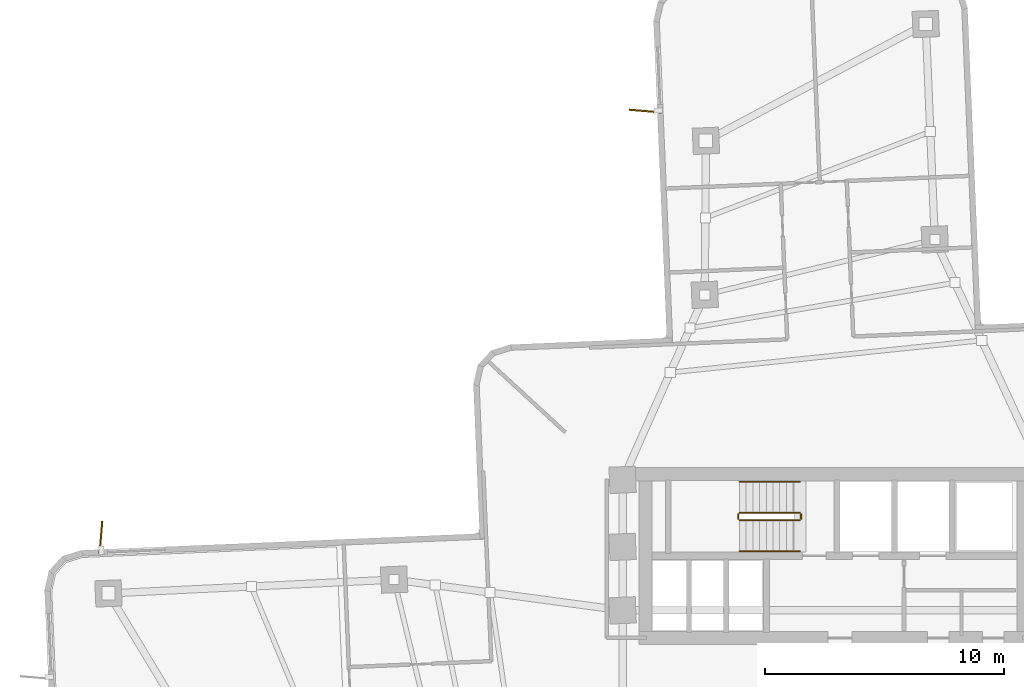
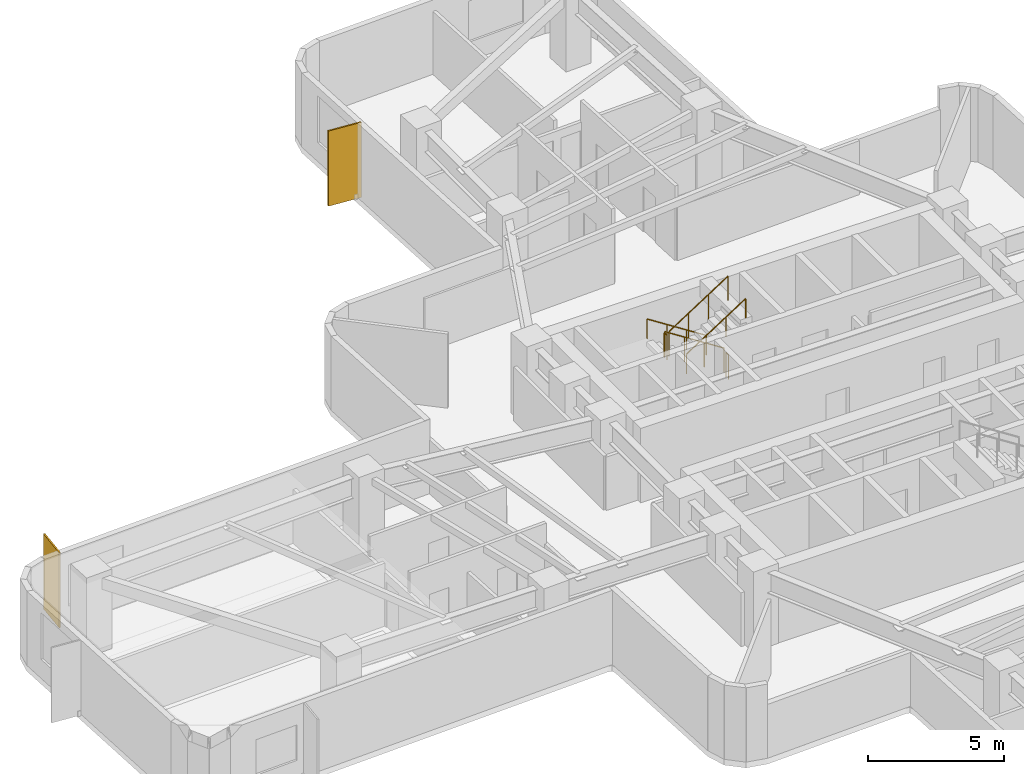
# One storey, part 9 of 10: 6 railings, 2 shading devices.
"""IFC4 building model written with IfcOpenShell, lengths in metres."""

from ifc_helpers import new_model, si_unit, direction, frame, origin, origin_2d, place, context, subcontext, project, spatial, rectangle, circle, extrude, material, layer, layer_set, type_object, element, save


model = new_model("IFC4")

# Units and contexts
model_context = context("Model", 3, precision=1e-05, world=origin(), true_north=direction((0.0, 1.0)))
body_context = subcontext(model_context, "Body", "Model", "MODEL_VIEW")
ifc_project = project(units=[si_unit("LENGTHUNIT", "METRE"), si_unit("AREAUNIT", "SQUARE_METRE"), si_unit("VOLUMEUNIT", "CUBIC_METRE"), si_unit("PLANEANGLEUNIT", "RADIAN"), si_unit("MASSUNIT", "GRAM", prefix="KILO")], contexts=[model_context])

# Site, building, storey
site_placement = place(None, origin())
site = spatial("IfcSite", under=ifc_project, at=site_placement, CompositionType="ELEMENT")
building_placement = place(site_placement, origin())
building = spatial("IfcBuilding", under=site, at=building_placement, Name="Solmarez Civic Tower", CompositionType="ELEMENT")
storey_placement = place(building_placement, frame((0.0, 0.0, 42.47998046875)))
storey = spatial("IfcBuildingStorey", under=building, at=storey_placement, Name="L10", CompositionType="ELEMENT", Elevation=42.47998046875)

# Shading devices
ifc_material_1 = material(Name="Bronze Anodised Aluminium EN AW-6063 T6", Category="aluminium")
ifc_layer = layer(ifc_material_1, 0.06494140625)
ifc_layer_set = layer_set([ifc_layer], Name="Bronze Anodised Aluminium EN AW-6063 T6")
shading_device_type = type_object("IfcShadingDeviceType", Name="FIN-BRONZE-Z12", PredefinedType="USERDEFINED", material=ifc_layer_set)
for number, where, z_axis, x_axis, name in (
    (1, (-30.635009765625, 5.947021484375, -0.0400390625), (0.0, 0.0, 1.0), (0.084077854451, 0.996459188523, 0.0), "L10 Anodised Bronze Solar Fin FIN-L10-03"),
    (2, (-7.906982421875, 23.7490234375, -0.0400390625), (0.0, 0.0, 1.0), (-0.996456253045, 0.084112637387, 0.0), "L10 Anodised Bronze Solar Fin FIN-L10-04"),
):
    element("IfcShadingDevice", number, at=place(storey_placement, frame(where, z_axis=z_axis, x_axis=x_axis)), inside=storey, type_object=shading_device_type, Name=name, ObjectType="FIN", PredefinedType="USERDEFINED", context=body_context, shape_type="SweptSolid", body=[
        extrude(rectangle(XDim=1.35009765625, YDim=0.06494140625, at=origin_2d()), origin(), (0.0, 0.0, 1.0), 3.3798828125),
    ])

# Railings
ifc_material_2 = material(Name="Painted Steel Stairwell Safety Guard", Category="steel")
railing_type_1 = type_object("IfcRailingType", Name="GUARD-STAIR-1120", PredefinedType="BALUSTRADE", material=ifc_material_2)
railing_1_placement = place(storey_placement, frame((-1.449951171875, 6.969970703125, 0.179931640625)))
element("IfcRailing", 3, at=railing_1_placement, inside=storey, type_object=railing_type_1, Name="L10 ST-1 stair guard 1", PredefinedType="BALUSTRADE", context=body_context, shape_type="SweptSolid", body=[
    extrude(circle(Radius=0.02392578125, at=origin_2d()), frame((0.0, 0.0, 1.09619140625), z_axis=(-0.841162588446, 0.0, 0.540782303519), x_axis=(0.0, -1.0, 0.0)), (0.0, 0.0, 1.0), 2.995849609375),
    extrude(circle(Radius=0.02099609375, at=origin_2d()), origin(), (0.0, 0.0, 1.0), 1.072021484375),
    extrude(circle(Radius=0.02099609375, at=origin_2d()), frame((-0.840087890625, 0.0, 0.5400390625)), (0.0, 0.0, 1.0), 1.072021484375),
    extrude(circle(Radius=0.02099609375, at=origin_2d()), frame((-1.679931640625, 0.0, 1.080078125)), (0.0, 0.0, 1.0), 1.072021484375),
    extrude(circle(Radius=0.02099609375, at=origin_2d()), frame((-2.52001953125, 0.0, 1.6201171875)), (0.0, 0.0, 1.0), 1.072021484375),
])
railing_2_placement = place(storey_placement, frame((-4.02001953125, 6.919921875, 1.800048828125)))
element("IfcRailing", 4, at=railing_2_placement, inside=storey, type_object=railing_type_1, Name="L10 ST-1 stair guard 2", PredefinedType="BALUSTRADE", context=body_context, shape_type="SweptSolid", body=[
    extrude(circle(Radius=0.02392578125, at=origin_2d()), frame((0.0, 0.0, 1.09619140625), z_axis=(0.0, -1.0, 0.0), x_axis=(1.0, 0.0, 0.0)), (0.0, 0.0, 1.0), 0.199951171875),
    extrude(circle(Radius=0.02099609375, at=origin_2d()), origin(), (0.0, 0.0, 1.0), 1.072021484375),
    extrude(circle(Radius=0.02099609375, at=origin_2d()), frame((0.0, -0.199951171875, 0.0)), (0.0, 0.0, 1.0), 1.072021484375),
])
railing_3_placement = place(storey_placement, frame((-3.969970703125, 6.669921875, 1.97998046875)))
element("IfcRailing", 5, at=railing_3_placement, inside=storey, type_object=railing_type_1, Name="L10 ST-1 stair guard 3", PredefinedType="BALUSTRADE", context=body_context, shape_type="SweptSolid", body=[
    extrude(circle(Radius=0.02392578125, at=origin_2d()), frame((0.0, 0.0, 1.09619140625), z_axis=(0.841162588446, 0.0, 0.540782303519), x_axis=(0.0, 1.0, 0.0)), (0.0, 0.0, 1.0), 2.995849609375),
    extrude(circle(Radius=0.02099609375, at=origin_2d()), origin(), (0.0, 0.0, 1.0), 1.072021484375),
    extrude(circle(Radius=0.02099609375, at=origin_2d()), frame((0.840087890625, 0.0, 0.5400390625)), (0.0, 0.0, 1.0), 1.072021484375),
    extrude(circle(Radius=0.02099609375, at=origin_2d()), frame((1.679931640625, 0.0, 1.080078125)), (0.0, 0.0, 1.0), 1.072021484375),
    extrude(circle(Radius=0.02099609375, at=origin_2d()), frame((2.52001953125, 0.0, 1.6201171875)), (0.0, 0.0, 1.0), 1.072021484375),
])
railing_4_placement = place(storey_placement, frame((-1.39990234375, 6.919921875, 0.0)))
element("IfcRailing", 6, at=railing_4_placement, inside=storey, type_object=railing_type_1, Name="L10 ST-1 stair guard 4", PredefinedType="BALUSTRADE", context=body_context, shape_type="SweptSolid", body=[
    extrude(circle(Radius=0.02392578125, at=origin_2d()), frame((0.0, 0.0, 1.09619140625), z_axis=(0.0, -1.0, 0.0), x_axis=(1.0, 0.0, 0.0)), (0.0, 0.0, 1.0), 0.199951171875),
    extrude(circle(Radius=0.02099609375, at=origin_2d()), origin(), (0.0, 0.0, 1.0), 1.072021484375),
    extrude(circle(Radius=0.02099609375, at=origin_2d()), frame((0.0, -0.199951171875, 0.0)), (0.0, 0.0, 1.0), 1.072021484375),
])
ifc_material_3 = material(Name="Brushed Stainless Steel Tube Handrail", Category="steel")
railing_type_2 = type_object("IfcRailingType", Name="HANDRAIL-STAIR-900", PredefinedType="HANDRAIL", material=ifc_material_3)
railing_5_placement = place(storey_placement, frame((-1.449951171875, 8.27001953125, 0.179931640625)))
element("IfcRailing", 7, at=railing_5_placement, inside=storey, type_object=railing_type_2, Name="L10 ST-1 stair handrail 1", PredefinedType="HANDRAIL", context=body_context, shape_type="SweptSolid", body=[
    extrude(circle(Radius=0.02392578125, at=origin_2d()), frame((0.0, 0.0, 0.8759765625), z_axis=(-0.841162588446, 0.0, 0.540782303519), x_axis=(0.0, -1.0, 0.0)), (0.0, 0.0, 1.0), 2.995849609375),
    extrude(circle(Radius=0.02099609375, at=origin_2d()), origin(), (0.0, 0.0, 1.0), 0.851806640625),
    extrude(circle(Radius=0.02099609375, at=origin_2d()), frame((-0.840087890625, 0.0, 0.5400390625)), (0.0, 0.0, 1.0), 0.851806640625),
    extrude(circle(Radius=0.02099609375, at=origin_2d()), frame((-1.679931640625, 0.0, 1.080078125)), (0.0, 0.0, 1.0), 0.851806640625),
    extrude(circle(Radius=0.02099609375, at=origin_2d()), frame((-2.52001953125, 0.0, 1.6201171875)), (0.0, 0.0, 1.0), 0.851806640625),
])
railing_6_placement = place(storey_placement, frame((-3.969970703125, 5.3701171875, 1.97998046875)))
element("IfcRailing", 8, at=railing_6_placement, inside=storey, type_object=railing_type_2, Name="L10 ST-1 stair handrail 2", PredefinedType="HANDRAIL", context=body_context, shape_type="SweptSolid", body=[
    extrude(circle(Radius=0.02392578125, at=origin_2d()), frame((0.0, 0.0, 0.8759765625), z_axis=(0.841162588446, 0.0, 0.540782303519), x_axis=(0.0, 1.0, 0.0)), (0.0, 0.0, 1.0), 2.995849609375),
    extrude(circle(Radius=0.02099609375, at=origin_2d()), origin(), (0.0, 0.0, 1.0), 0.851806640625),
    extrude(circle(Radius=0.02099609375, at=origin_2d()), frame((0.840087890625, 0.0, 0.5400390625)), (0.0, 0.0, 1.0), 0.851806640625),
    extrude(circle(Radius=0.02099609375, at=origin_2d()), frame((1.679931640625, 0.0, 1.080078125)), (0.0, 0.0, 1.0), 0.851806640625),
    extrude(circle(Radius=0.02099609375, at=origin_2d()), frame((2.52001953125, 0.0, 1.6201171875)), (0.0, 0.0, 1.0), 0.851806640625),
])

save(model, "model.ifc")
